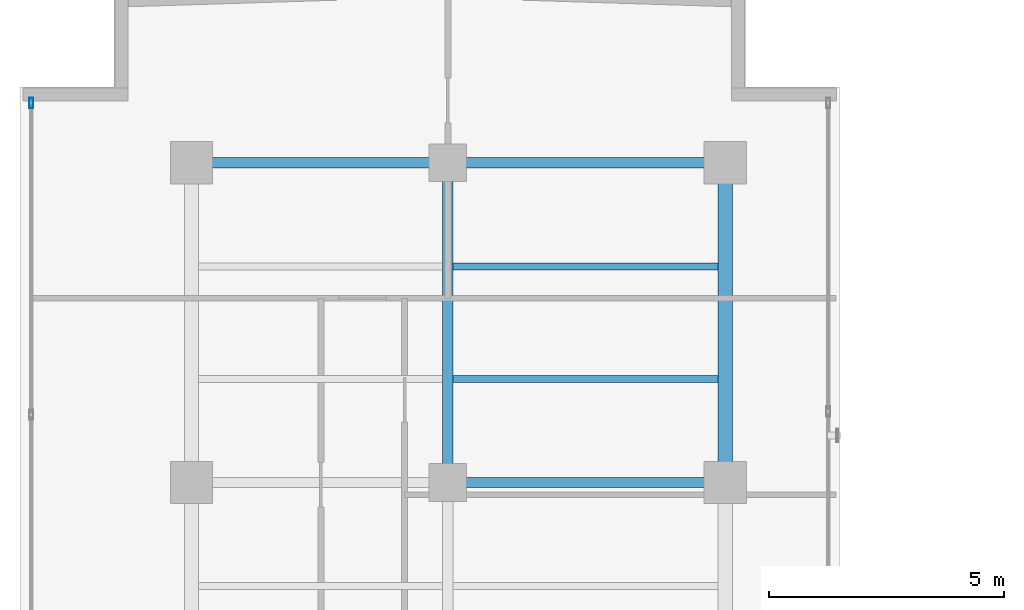
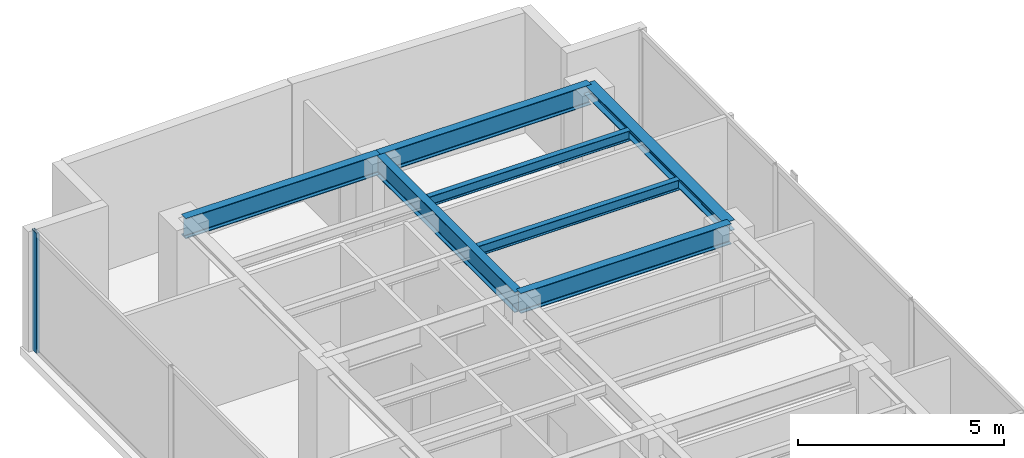
# One storey, part 14 of 22: 7 beams, 1 member, 1 element without a shape of its own.
"""IFC4 building model written with IfcOpenShell, lengths in metres."""

from ifc_helpers import new_model, si_unit, direction, frame, origin, origin_with_axes, origin_2d, place, context, subcontext, project, spatial, hollow_rectangle, i_section, extrude, source, transform, mapped, material, layer, layer_set, material_profile, profile_set, type_object, element, aggregate, save


model = new_model("IFC4")

# Units and contexts
model_context = context("Model", 3, precision=1e-05, world=origin(), true_north=direction((0.0, 1.0)))
body_context = subcontext(model_context, "Body", "Model", "MODEL_VIEW")
ifc_project = project(units=[si_unit("LENGTHUNIT", "METRE"), si_unit("AREAUNIT", "SQUARE_METRE"), si_unit("VOLUMEUNIT", "CUBIC_METRE"), si_unit("PLANEANGLEUNIT", "RADIAN"), si_unit("MASSUNIT", "GRAM", prefix="KILO")], contexts=[model_context])

# Site, building, storey
site_placement = place(None, origin())
site = spatial("IfcSite", under=ifc_project, at=site_placement, CompositionType="ELEMENT")
building_placement = place(site_placement, origin())
building = spatial("IfcBuilding", under=site, at=building_placement, Name="Kolvaren Waterfront Exchange", CompositionType="ELEMENT")
storey_placement = place(building_placement, frame((0.0, 0.0, 323.60009765625)))
storey = spatial("IfcBuildingStorey", under=building, at=storey_placement, Name="L83", CompositionType="ELEMENT", Elevation=323.60009765625)

# Beams
ifc_material_1 = material(Name="Steel S355", Category="steel")
ifc_material_profile_1 = material_profile(ifc_material_1, i_section(OverallWidth=0.300048828125, OverallDepth=0.300048828125, WebThickness=0.010986328125, FlangeThickness=0.01904296875, FilletRadius=0.027099609375, at=origin_2d()), Name="HEB300")
ifc_profile_set_1 = profile_set([ifc_material_profile_1], Name="Steel S355")
beam_type_1 = type_object("IfcBeamType", Name="STR-BM-HEB300", PredefinedType="SPANDREL", material=ifc_profile_set_1)
beam_1_placement = place(storey_placement, frame((18.800048828125, 37.800048828125, 3.409912109375), z_axis=(0.0, 1.0, 0.0), x_axis=(-1.0, 0.0, 0.0)))
element("IfcBeam", 1, at=beam_1_placement, inside=storey, type_object=beam_type_1, Name="L83 north-arm edge beam 3", PredefinedType="SPANDREL", context=body_context, shape_type="SweptSolid", body=[
    extrude(i_section(OverallWidth=0.300048828125, OverallDepth=0.300048828125, WebThickness=0.010986328125, FlangeThickness=0.01904296875, FilletRadius=0.027099609375, at=origin_2d()), origin(), (0.0, 0.0, 1.0), 6.800048828125),
])
ifc_material_profile_2 = material_profile(ifc_material_1, i_section(OverallWidth=0.14990234375, OverallDepth=0.300048828125, WebThickness=0.007080078125, FlangeThickness=0.0107421875, FilletRadius=0.014892578125, at=origin_2d()), Name="IPE300")
ifc_profile_set_2 = profile_set([ifc_material_profile_2], Name="Steel S355")
beam_type_2 = type_object("IfcBeamType", Name="STR-BM-IPE300", PredefinedType="JOIST", material=ifc_profile_set_2)
for number, where, z_axis, x_axis, name in (
    (2, (13.011962890625, 40.0, 3.409912109375), (1.0, 0.0, 0.0), (0.0, 1.0, 0.0), "L83 north-arm composite joist 5B"),
    (3, (13.011962890625, 42.39990234375, 3.409912109375), (1.0, 0.0, 0.0), (0.0, 1.0, 0.0), "L83 north-arm composite joist 6B"),
):
    element("IfcBeam", number, at=place(storey_placement, frame(where, z_axis=z_axis, x_axis=x_axis)), inside=storey, type_object=beam_type_2, Name=name, PredefinedType="JOIST", context=body_context, shape_type="SweptSolid", body=[
        extrude(i_section(OverallWidth=0.14990234375, OverallDepth=0.300048828125, WebThickness=0.007080078125, FlangeThickness=0.0107421875, FilletRadius=0.014892578125, at=origin_2d()), origin(), (0.0, 0.0, 1.0), 5.635986328125),
    ])
ifc_material_profile_3 = material_profile(ifc_material_1, i_section(OverallWidth=0.219970703125, OverallDepth=0.60009765625, WebThickness=0.011962890625, FlangeThickness=0.01904296875, FilletRadius=0.02392578125, at=origin_2d()), Name="IPE600")
ifc_profile_set_3 = profile_set([ifc_material_profile_3], Name="Steel S355")
beam_type_3 = type_object("IfcBeamType", Name="STR-BM-IPE600", PredefinedType="BEAM", material=ifc_profile_set_3)
beam_2_placement = place(storey_placement, frame((12.89990234375, 37.800048828125, 3.260009765625), z_axis=(1.0, 0.0, 0.0), x_axis=(0.0, 1.0, 0.0)))
element("IfcBeam", 4, at=beam_2_placement, inside=storey, type_object=beam_type_3, Name="L83 north-arm girder 3B", PredefinedType="BEAM", context=body_context, shape_type="SweptSolid", body=[
    extrude(i_section(OverallWidth=0.219970703125, OverallDepth=0.60009765625, WebThickness=0.011962890625, FlangeThickness=0.01904296875, FilletRadius=0.02392578125, at=origin_2d()), origin(), (0.0, 0.0, 1.0), 5.900146484375),
])
beam_3_placement = place(storey_placement, frame((7.449951171875, 44.60009765625, 3.260009765625), z_axis=(1.0, 0.0, 0.0), x_axis=(0.0, 1.0, 0.0)))
element("IfcBeam", 5, at=beam_3_placement, inside=storey, type_object=beam_type_3, Name="L83 north-arm girder 4A", PredefinedType="BEAM", context=body_context, shape_type="SweptSolid", body=[
    extrude(i_section(OverallWidth=0.219970703125, OverallDepth=0.60009765625, WebThickness=0.011962890625, FlangeThickness=0.01904296875, FilletRadius=0.02392578125, at=origin_2d()), origin(), (0.0, 0.0, 1.0), 5.449951171875),
])
beam_4_placement = place(storey_placement, frame((12.89990234375, 44.60009765625, 3.260009765625), z_axis=(1.0, 0.0, 0.0), x_axis=(0.0, 1.0, 0.0)))
element("IfcBeam", 6, at=beam_4_placement, inside=storey, type_object=beam_type_3, Name="L83 north-arm girder 4B", PredefinedType="BEAM", context=body_context, shape_type="SweptSolid", body=[
    extrude(i_section(OverallWidth=0.219970703125, OverallDepth=0.60009765625, WebThickness=0.011962890625, FlangeThickness=0.01904296875, FilletRadius=0.02392578125, at=origin_2d()), origin(), (0.0, 0.0, 1.0), 5.900146484375),
])
beam_5_placement = place(storey_placement, frame((12.89990234375, 37.800048828125, 3.260009765625), z_axis=(0.0, 1.0, 0.0), x_axis=(-1.0, 0.0, 0.0)))
element("IfcBeam", 7, at=beam_5_placement, inside=storey, type_object=beam_type_3, Name="L83 north-arm edge beam 3", PredefinedType="BEAM", context=body_context, shape_type="SweptSolid", body=[
    extrude(i_section(OverallWidth=0.219970703125, OverallDepth=0.60009765625, WebThickness=0.011962890625, FlangeThickness=0.01904296875, FilletRadius=0.02392578125, at=origin_2d()), origin(), (0.0, 0.0, 1.0), 6.800048828125),
])

# Curtain wall, member
ifc_material_2 = material(Name="Anodised aluminium 6063-T6", Category="aluminium")
ifc_layer = layer(ifc_material_2, 0.219970703125, Name="Anodised aluminium 6063-T6")
ifc_layer_set = layer_set([ifc_layer], Name="Anodised aluminium 6063-T6")
curtain_wall_type = type_object("IfcCurtainWallType", Name="ARC-CW-SYS2", PredefinedType="USERDEFINED", material=ifc_layer_set)
curtain_wall_placement = place(storey_placement, origin())
curtain_wall = element("IfcCurtainWall", 8, at=curtain_wall_placement, inside=storey, type_object=curtain_wall_type, Name="L83 stick curtain wall CW2 (CW-L83-W)", ObjectType="STICK CURTAIN WALL", PredefinedType="USERDEFINED")
ifc_material_profile_4 = material_profile(ifc_material_2, hollow_rectangle(XDim=0.080078125, YDim=0.219970703125, WallThickness=0.0048828125, at=origin_2d()), Name="ALU-MUL-220x80x5")
ifc_profile_set_4 = profile_set([ifc_material_profile_4], Name="Anodised aluminium 6063-T6")
member_type = type_object("IfcMemberType", Name="ARC-CWM-220", PredefinedType="MULLION", material=ifc_profile_set_4)
shared_shape = source(origin_with_axes(), body_context, "Body", "SweptSolid", [
    extrude(hollow_rectangle(XDim=0.080078125, YDim=0.219970703125, WallThickness=0.0048828125, at=origin_2d()), origin(), (0.0, 0.0, 1.0), 3.559814453125),
])
member_placement = place(storey_placement, frame((4.0400390625, 45.87060546875, 0.0), z_axis=(0.0, 0.0, 1.0), x_axis=(-1.0, 0.0, 0.0)))
member = element("IfcMember", 9, at=member_placement, type_object=member_type, Name="CW2 mullion 7", PredefinedType="MULLION", context=body_context, shape_type="MappedRepresentation", body=[
    mapped(shared_shape, transform((0.0, 0.0, 0.0), x_axis=(1.0, 0.0, 0.0), y_axis=(0.0, 1.0, 0.0), z_axis=(0.0, 0.0, 1.0), scale=1.0)),
])
aggregate(curtain_wall, [member])

save(model, "model.ifc")
